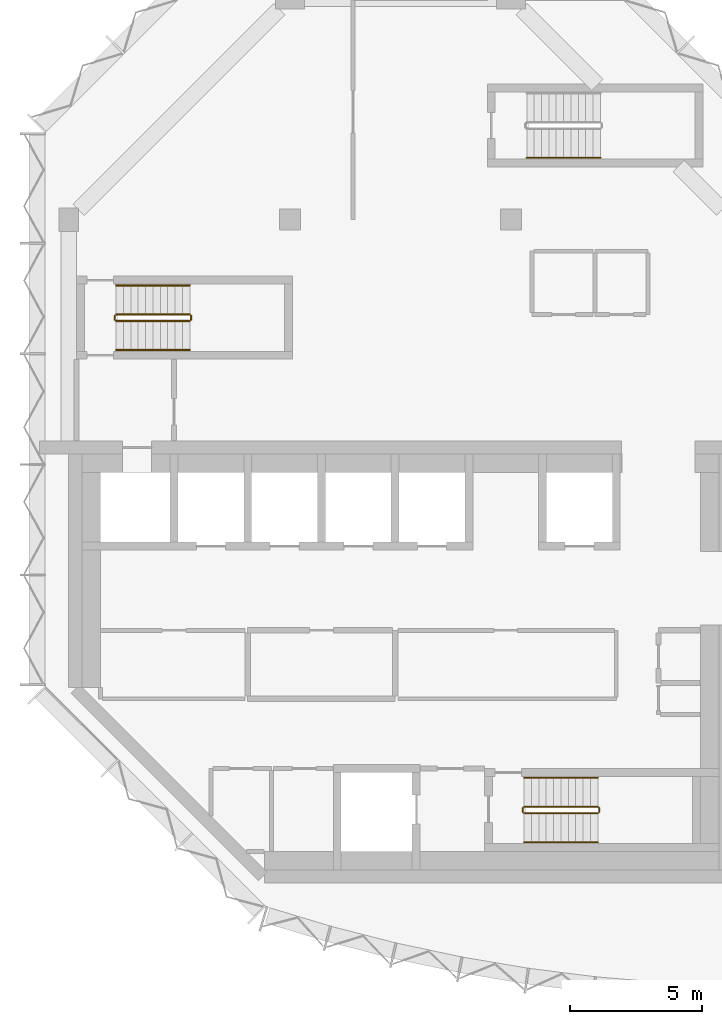
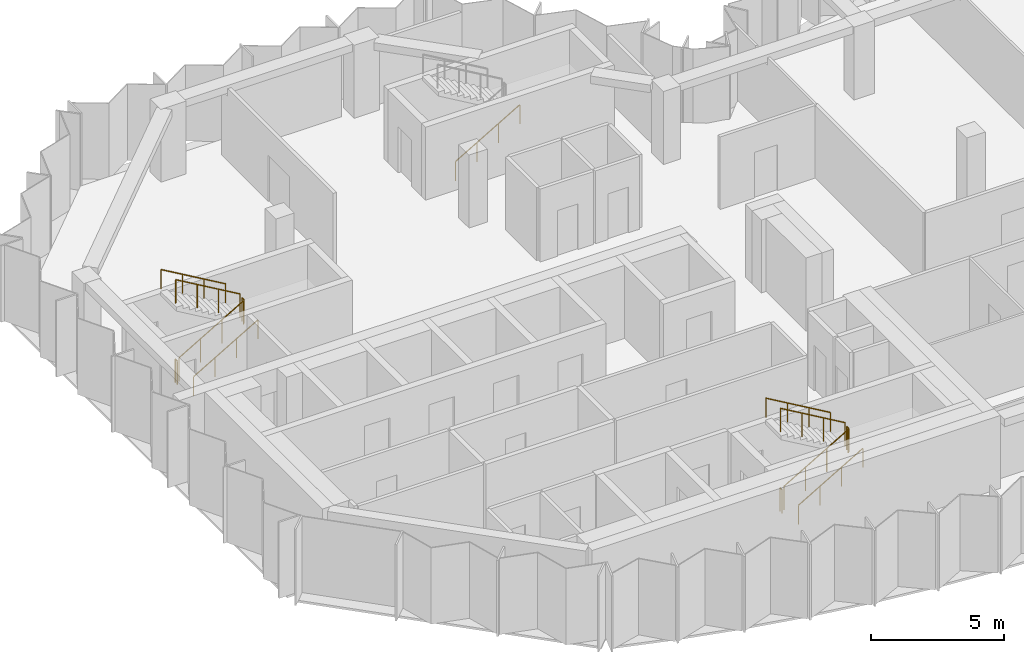
# One storey, part 8 of 9: 13 railings.
"""IFC4 building model written with IfcOpenShell, lengths in metres."""

from ifc_helpers import new_model, si_unit, direction, frame, origin, origin_2d, place, context, subcontext, project, spatial, circle, extrude, material, type_object, element, save


model = new_model("IFC4")

# Units and contexts
model_context = context("Model", 3, precision=1e-05, world=origin(), true_north=direction((0.0, 1.0)))
body_context = subcontext(model_context, "Body", "Model", "MODEL_VIEW")
ifc_project = project(units=[si_unit("LENGTHUNIT", "METRE"), si_unit("AREAUNIT", "SQUARE_METRE"), si_unit("VOLUMEUNIT", "CUBIC_METRE"), si_unit("PLANEANGLEUNIT", "RADIAN"), si_unit("MASSUNIT", "GRAM", prefix="KILO")], contexts=[model_context])

# Site, building, storey
site_placement = place(None, origin())
site = spatial("IfcSite", under=ifc_project, at=site_placement, CompositionType="ELEMENT")
building_placement = place(site_placement, origin())
building = spatial("IfcBuilding", under=site, at=building_placement, Name="Brevane Broadcast Tower", CompositionType="ELEMENT")
storey_placement = place(building_placement, frame((0.0, 0.0, 222.89990234375)))
storey = spatial("IfcBuildingStorey", under=building, at=storey_placement, Name="L56", CompositionType="ELEMENT", Elevation=222.89990234375)

# Railings
ifc_material = material(Name="Steel S355", Category="steel")
railing_type_1 = type_object("IfcRailingType", Name="Exit stair guard", PredefinedType="GUARDRAIL", material=ifc_material)
railing_1_placement = place(storey_placement, frame((1.800048828125, 21.35009765625, 0.163818359375)))
element("IfcRailing", 1, at=railing_1_placement, inside=storey, type_object=railing_type_1, Name="L56 ST-1 stair guard 1", PredefinedType="GUARDRAIL", context=body_context, shape_type="SweptSolid", body=[
    extrude(circle(Radius=0.02392578125, at=origin_2d()), frame((0.0, 0.0, 1.076171875), z_axis=(0.863393664356, 0.0, 0.504530851732), x_axis=(0.0, 1.0, 0.0)), (0.0, 0.0, 1.0), 3.2431640625),
    extrude(circle(Radius=0.02099609375, at=origin_2d()), origin(), (0.0, 0.0, 1.0), 1.052001953125),
    extrude(circle(Radius=0.02099609375, at=origin_2d()), frame((0.933349609375, 0.0, 0.54541015625)), (0.0, 0.0, 1.0), 1.052001953125),
    extrude(circle(Radius=0.02099609375, at=origin_2d()), frame((1.86669921875, 0.0, 1.0908203125)), (0.0, 0.0, 1.0), 1.052001953125),
    extrude(circle(Radius=0.02099609375, at=origin_2d()), frame((2.800048828125, 0.0, 1.63623046875)), (0.0, 0.0, 1.0), 1.052001953125),
])
railing_2_placement = place(storey_placement, frame((4.64990234375, 21.39990234375, 1.800048828125)))
element("IfcRailing", 2, at=railing_2_placement, inside=storey, type_object=railing_type_1, Name="L56 ST-1 stair guard 2", PredefinedType="GUARDRAIL", context=body_context, shape_type="SweptSolid", body=[
    extrude(circle(Radius=0.02392578125, at=origin_2d()), frame((0.0, 0.0, 1.076171875), z_axis=(0.0, 1.0, 0.0), x_axis=(-1.0, 0.0, 0.0)), (0.0, 0.0, 1.0), 0.150146484375),
    extrude(circle(Radius=0.02099609375, at=origin_2d()), origin(), (0.0, 0.0, 1.0), 1.052001953125),
    extrude(circle(Radius=0.02099609375, at=origin_2d()), frame((0.0, 0.150146484375, 0.0)), (0.0, 0.0, 1.0), 1.052001953125),
])
railing_3_placement = place(storey_placement, frame((4.60009765625, 21.60009765625, 1.963623046875)))
element("IfcRailing", 3, at=railing_3_placement, inside=storey, type_object=railing_type_1, Name="L56 ST-1 stair guard 3", PredefinedType="GUARDRAIL", context=body_context, shape_type="SweptSolid", body=[
    extrude(circle(Radius=0.02392578125, at=origin_2d()), frame((0.0, 0.0, 1.076171875), z_axis=(-0.863360870873, 0.0, 0.504586966384), x_axis=(0.0, -1.0, 0.0)), (0.0, 0.0, 1.0), 3.2431640625),
    extrude(circle(Radius=0.02099609375, at=origin_2d()), origin(), (0.0, 0.0, 1.0), 1.052001953125),
    extrude(circle(Radius=0.02099609375, at=origin_2d()), frame((-0.933349609375, 0.0, 0.54541015625)), (0.0, 0.0, 1.0), 1.052001953125),
    extrude(circle(Radius=0.02099609375, at=origin_2d()), frame((-1.86669921875, 0.0, 1.091064453125)), (0.0, 0.0, 1.0), 1.052001953125),
    extrude(circle(Radius=0.02099609375, at=origin_2d()), frame((-2.800048828125, 0.0, 1.636474609375)), (0.0, 0.0, 1.0), 1.052001953125),
])
railing_4_placement = place(storey_placement, frame((1.75, 21.39990234375, 0.0)))
element("IfcRailing", 4, at=railing_4_placement, inside=storey, type_object=railing_type_1, Name="L56 ST-1 stair guard 4", PredefinedType="GUARDRAIL", context=body_context, shape_type="SweptSolid", body=[
    extrude(circle(Radius=0.02392578125, at=origin_2d()), frame((0.0, 0.0, 1.076171875), z_axis=(0.0, 1.0, 0.0), x_axis=(-1.0, 0.0, 0.0)), (0.0, 0.0, 1.0), 0.150146484375),
    extrude(circle(Radius=0.02099609375, at=origin_2d()), origin(), (0.0, 0.0, 1.0), 1.052001953125),
    extrude(circle(Radius=0.02099609375, at=origin_2d()), frame((0.0, 0.150146484375, 0.0)), (0.0, 0.0, 1.0), 1.052001953125),
])
railing_5_placement = place(storey_placement, frame((17.300048828125, 2.64990234375, 0.163818359375)))
element("IfcRailing", 5, at=railing_5_placement, inside=storey, type_object=railing_type_1, Name="L56 ST-2 stair guard 1", PredefinedType="GUARDRAIL", context=body_context, shape_type="SweptSolid", body=[
    extrude(circle(Radius=0.02392578125, at=origin_2d()), frame((0.0, 0.0, 1.076171875), z_axis=(0.863393664356, 0.0, 0.504530851732), x_axis=(0.0, 1.0, 0.0)), (0.0, 0.0, 1.0), 3.2431640625),
    extrude(circle(Radius=0.02099609375, at=origin_2d()), origin(), (0.0, 0.0, 1.0), 1.052001953125),
    extrude(circle(Radius=0.02099609375, at=origin_2d()), frame((0.933349609375, 0.0, 0.54541015625)), (0.0, 0.0, 1.0), 1.052001953125),
    extrude(circle(Radius=0.02099609375, at=origin_2d()), frame((1.86669921875, 0.0, 1.0908203125)), (0.0, 0.0, 1.0), 1.052001953125),
    extrude(circle(Radius=0.02099609375, at=origin_2d()), frame((2.800048828125, 0.0, 1.63623046875)), (0.0, 0.0, 1.0), 1.052001953125),
])
railing_6_placement = place(storey_placement, frame((20.14990234375, 2.699951171875, 1.800048828125)))
element("IfcRailing", 6, at=railing_6_placement, inside=storey, type_object=railing_type_1, Name="L56 ST-2 stair guard 2", PredefinedType="GUARDRAIL", context=body_context, shape_type="SweptSolid", body=[
    extrude(circle(Radius=0.02392578125, at=origin_2d()), frame((0.0, 0.0, 1.076171875), z_axis=(0.0, 1.0, 0.0), x_axis=(-1.0, 0.0, 0.0)), (0.0, 0.0, 1.0), 0.150146484375),
    extrude(circle(Radius=0.02099609375, at=origin_2d()), origin(), (0.0, 0.0, 1.0), 1.052001953125),
    extrude(circle(Radius=0.02099609375, at=origin_2d()), frame((0.0, 0.150146484375, 0.0)), (0.0, 0.0, 1.0), 1.052001953125),
])
railing_7_placement = place(storey_placement, frame((20.10009765625, 2.89990234375, 1.963623046875)))
element("IfcRailing", 7, at=railing_7_placement, inside=storey, type_object=railing_type_1, Name="L56 ST-2 stair guard 3", PredefinedType="GUARDRAIL", context=body_context, shape_type="SweptSolid", body=[
    extrude(circle(Radius=0.02392578125, at=origin_2d()), frame((0.0, 0.0, 1.076171875), z_axis=(-0.863360870873, 0.0, 0.504586966384), x_axis=(0.0, -1.0, 0.0)), (0.0, 0.0, 1.0), 3.2431640625),
    extrude(circle(Radius=0.02099609375, at=origin_2d()), origin(), (0.0, 0.0, 1.0), 1.052001953125),
    extrude(circle(Radius=0.02099609375, at=origin_2d()), frame((-0.933349609375, 0.0, 0.54541015625)), (0.0, 0.0, 1.0), 1.052001953125),
    extrude(circle(Radius=0.02099609375, at=origin_2d()), frame((-1.86669921875, 0.0, 1.091064453125)), (0.0, 0.0, 1.0), 1.052001953125),
    extrude(circle(Radius=0.02099609375, at=origin_2d()), frame((-2.800048828125, 0.0, 1.636474609375)), (0.0, 0.0, 1.0), 1.052001953125),
])
railing_8_placement = place(storey_placement, frame((17.25, 2.699951171875, 0.0)))
element("IfcRailing", 8, at=railing_8_placement, inside=storey, type_object=railing_type_1, Name="L56 ST-2 stair guard 4", PredefinedType="GUARDRAIL", context=body_context, shape_type="SweptSolid", body=[
    extrude(circle(Radius=0.02392578125, at=origin_2d()), frame((0.0, 0.0, 1.076171875), z_axis=(0.0, 1.0, 0.0), x_axis=(-1.0, 0.0, 0.0)), (0.0, 0.0, 1.0), 0.150146484375),
    extrude(circle(Radius=0.02099609375, at=origin_2d()), origin(), (0.0, 0.0, 1.0), 1.052001953125),
    extrude(circle(Radius=0.02099609375, at=origin_2d()), frame((0.0, 0.150146484375, 0.0)), (0.0, 0.0, 1.0), 1.052001953125),
])
railing_type_2 = type_object("IfcRailingType", Name="Exit stair handrail", PredefinedType="HANDRAIL", material=ifc_material)
railing_9_placement = place(storey_placement, frame((1.800048828125, 20.25, 0.163818359375)))
element("IfcRailing", 9, at=railing_9_placement, inside=storey, type_object=railing_type_2, Name="L56 ST-1 stair handrail 1", PredefinedType="HANDRAIL", context=body_context, shape_type="SweptSolid", body=[
    extrude(circle(Radius=0.02392578125, at=origin_2d()), frame((0.0, 0.0, 0.8759765625), z_axis=(0.863393664356, 0.0, 0.504530851732), x_axis=(0.0, 1.0, 0.0)), (0.0, 0.0, 1.0), 3.2431640625),
    extrude(circle(Radius=0.02099609375, at=origin_2d()), origin(), (0.0, 0.0, 1.0), 0.851806640625),
    extrude(circle(Radius=0.02099609375, at=origin_2d()), frame((0.933349609375, 0.0, 0.54541015625)), (0.0, 0.0, 1.0), 0.851806640625),
    extrude(circle(Radius=0.02099609375, at=origin_2d()), frame((1.86669921875, 0.0, 1.0908203125)), (0.0, 0.0, 1.0), 0.851806640625),
    extrude(circle(Radius=0.02099609375, at=origin_2d()), frame((2.800048828125, 0.0, 1.63623046875)), (0.0, 0.0, 1.0), 0.851806640625),
])
railing_10_placement = place(storey_placement, frame((4.60009765625, 22.699951171875, 1.963623046875)))
element("IfcRailing", 10, at=railing_10_placement, inside=storey, type_object=railing_type_2, Name="L56 ST-1 stair handrail 2", PredefinedType="HANDRAIL", context=body_context, shape_type="SweptSolid", body=[
    extrude(circle(Radius=0.02392578125, at=origin_2d()), frame((0.0, 0.0, 0.8759765625), z_axis=(-0.863360870873, 0.0, 0.504586966384), x_axis=(0.0, -1.0, 0.0)), (0.0, 0.0, 1.0), 3.2431640625),
    extrude(circle(Radius=0.02099609375, at=origin_2d()), origin(), (0.0, 0.0, 1.0), 0.851806640625),
    extrude(circle(Radius=0.02099609375, at=origin_2d()), frame((-0.933349609375, 0.0, 0.54541015625)), (0.0, 0.0, 1.0), 0.851806640625),
    extrude(circle(Radius=0.02099609375, at=origin_2d()), frame((-1.86669921875, 0.0, 1.091064453125)), (0.0, 0.0, 1.0), 0.851806640625),
    extrude(circle(Radius=0.02099609375, at=origin_2d()), frame((-2.800048828125, 0.0, 1.636474609375)), (0.0, 0.0, 1.0), 0.851806640625),
])
railing_11_placement = place(storey_placement, frame((17.300048828125, 1.550048828125, 0.163818359375)))
element("IfcRailing", 11, at=railing_11_placement, inside=storey, type_object=railing_type_2, Name="L56 ST-2 stair handrail 1", PredefinedType="HANDRAIL", context=body_context, shape_type="SweptSolid", body=[
    extrude(circle(Radius=0.02392578125, at=origin_2d()), frame((0.0, 0.0, 0.8759765625), z_axis=(0.863393664356, 0.0, 0.504530851732), x_axis=(0.0, 1.0, 0.0)), (0.0, 0.0, 1.0), 3.2431640625),
    extrude(circle(Radius=0.02099609375, at=origin_2d()), origin(), (0.0, 0.0, 1.0), 0.851806640625),
    extrude(circle(Radius=0.02099609375, at=origin_2d()), frame((0.933349609375, 0.0, 0.54541015625)), (0.0, 0.0, 1.0), 0.851806640625),
    extrude(circle(Radius=0.02099609375, at=origin_2d()), frame((1.86669921875, 0.0, 1.0908203125)), (0.0, 0.0, 1.0), 0.851806640625),
    extrude(circle(Radius=0.02099609375, at=origin_2d()), frame((2.800048828125, 0.0, 1.63623046875)), (0.0, 0.0, 1.0), 0.851806640625),
])
railing_12_placement = place(storey_placement, frame((20.10009765625, 4.0, 1.963623046875)))
element("IfcRailing", 12, at=railing_12_placement, inside=storey, type_object=railing_type_2, Name="L56 ST-2 stair handrail 2", PredefinedType="HANDRAIL", context=body_context, shape_type="SweptSolid", body=[
    extrude(circle(Radius=0.02392578125, at=origin_2d()), frame((0.0, 0.0, 0.8759765625), z_axis=(-0.863360870873, 0.0, 0.504586966384), x_axis=(0.0, -1.0, 0.0)), (0.0, 0.0, 1.0), 3.2431640625),
    extrude(circle(Radius=0.02099609375, at=origin_2d()), origin(), (0.0, 0.0, 1.0), 0.851806640625),
    extrude(circle(Radius=0.02099609375, at=origin_2d()), frame((-0.933349609375, 0.0, 0.54541015625)), (0.0, 0.0, 1.0), 0.851806640625),
    extrude(circle(Radius=0.02099609375, at=origin_2d()), frame((-1.86669921875, 0.0, 1.091064453125)), (0.0, 0.0, 1.0), 0.851806640625),
    extrude(circle(Radius=0.02099609375, at=origin_2d()), frame((-2.800048828125, 0.0, 1.636474609375)), (0.0, 0.0, 1.0), 0.851806640625),
])
railing_13_placement = place(storey_placement, frame((17.39990234375, 27.550048828125, 0.163818359375)))
element("IfcRailing", 13, at=railing_13_placement, inside=storey, type_object=railing_type_2, Name="L56 ST-3 stair handrail 1", PredefinedType="HANDRAIL", context=body_context, shape_type="SweptSolid", body=[
    extrude(circle(Radius=0.02392578125, at=origin_2d()), frame((0.0, 0.0, 0.8759765625), z_axis=(0.863393664356, 0.0, 0.504530851732), x_axis=(0.0, 1.0, 0.0)), (0.0, 0.0, 1.0), 3.2431640625),
    extrude(circle(Radius=0.02099609375, at=origin_2d()), origin(), (0.0, 0.0, 1.0), 0.851806640625),
    extrude(circle(Radius=0.02099609375, at=origin_2d()), frame((0.933349609375, 0.0, 0.54541015625)), (0.0, 0.0, 1.0), 0.851806640625),
    extrude(circle(Radius=0.02099609375, at=origin_2d()), frame((1.86669921875, 0.0, 1.0908203125)), (0.0, 0.0, 1.0), 0.851806640625),
    extrude(circle(Radius=0.02099609375, at=origin_2d()), frame((2.800048828125, 0.0, 1.63623046875)), (0.0, 0.0, 1.0), 0.851806640625),
])

save(model, "model.ifc")
